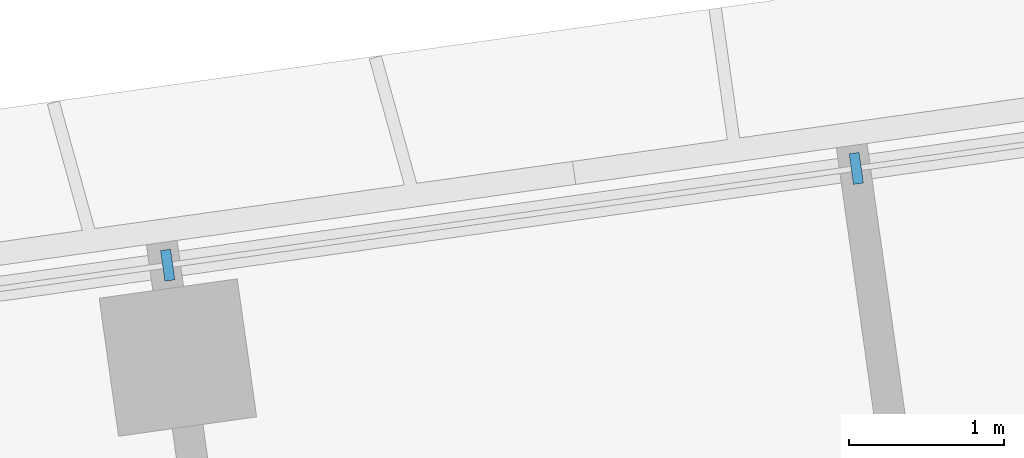
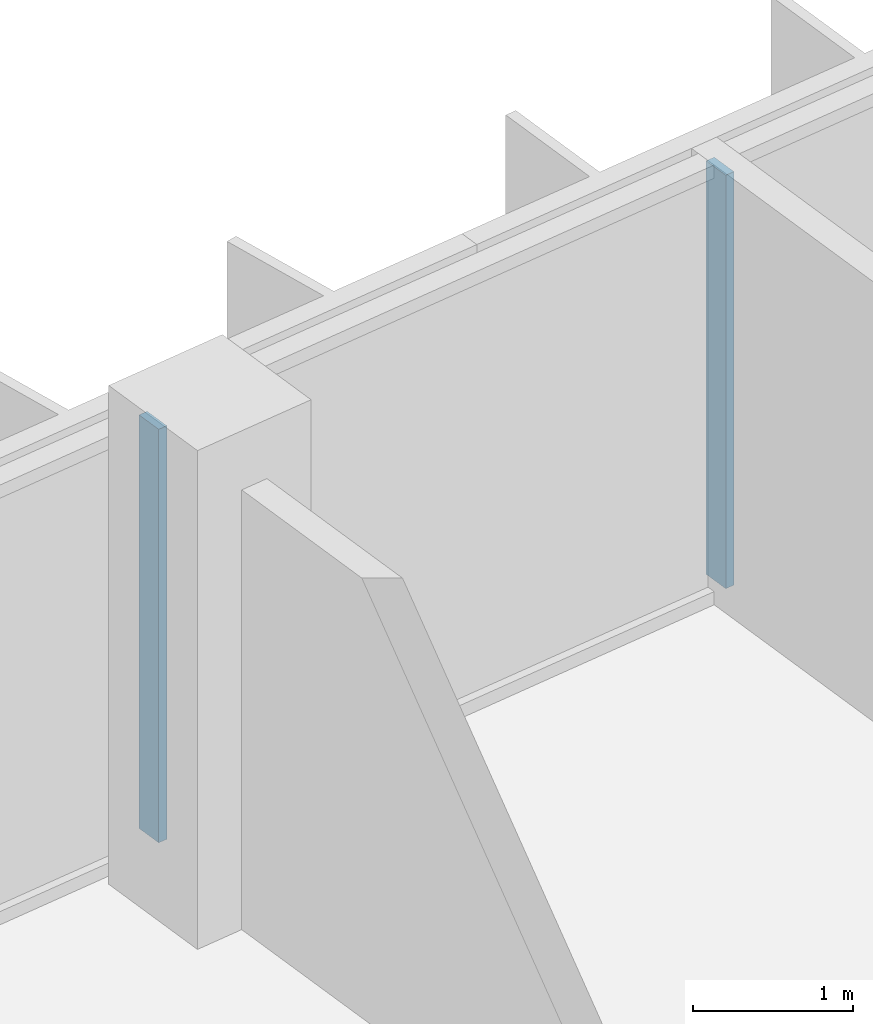
# One storey, part 8 of 26: 2 members, 1 element without a shape of its own.
"""IFC4 building model written with IfcOpenShell, lengths in metres."""

import ifcopenshell
import ifcopenshell.guid

model = None  # the IFC model being written
_history = None  # IfcOwnerHistory: only IFC2X3 demands one
_inside = {}  # id of a spatial element -> (the spatial element, [elements in it])
_under = {}  # id of a project, library or spatial element -> (it, [spatial elements below it])
_declared = {}  # id of a project -> (the project, [libraries it declares])
_typed = {}  # id of a type object -> (the type object, [elements of that type])
_made_of = {}  # id of a material, layer set ... -> (it, [elements and type objects made of it])


def new_model(schema):
    """Start an empty IFC model of exactly this schema.

    Asked for "IFC4X3", IfcOpenShell would pick the latest addendum, in which some entities
    have other attributes; the version numbers below select the first issue.
    IFC2X3 requires an IfcOwnerHistory on every rooted entity: one is made here for all.
    """
    global model, _history
    if schema == "IFC4X3":
        model = ifcopenshell.file(schema_version=(4, 3, 0, 0))
    else:
        model = ifcopenshell.file(schema=schema)
    _inside.clear()
    _under.clear()
    _declared.clear()
    _typed.clear()
    _made_of.clear()
    _history = None
    if model.schema == "IFC2X3":
        org = make("IfcOrganization", Name="unknown")
        user = make(
            "IfcPersonAndOrganization",
            ThePerson=make("IfcPerson", FamilyName="unknown"),
            TheOrganization=org,
        )
        app = make(
            "IfcApplication",
            ApplicationDeveloper=org,
            Version="unknown",
            ApplicationFullName="unknown",
            ApplicationIdentifier="unknown",
        )
        _history = make(
            "IfcOwnerHistory",
            OwningUser=user,
            OwningApplication=app,
            ChangeAction="ADDED",
            CreationDate=0,
        )
    return model


def make(cls, **values):
    """One entity of the class cls with the attributes given. An attribute that is None is left unset."""
    return model.create_entity(
        cls, **{name: value for name, value in values.items() if value is not None}
    )


def rooted(cls, **values):
    """An entity with a GlobalId (a new one), such as an element, a storey or a relation."""
    return make(cls, GlobalId=ifcopenshell.guid.new(), OwnerHistory=_history, **values)


def si_unit(unit_type, name, prefix=None):
    """IfcSIUnit, for example si_unit("LENGTHUNIT", "METRE", prefix="MILLI")."""
    return make("IfcSIUnit", UnitType=unit_type, Prefix=prefix, Name=name)


def assignment(units):
    """IfcUnitAssignment: the units of a project."""
    return None if units is None else make("IfcUnitAssignment", Units=units)


def point(xyz):
    """IfcCartesianPoint."""
    return None if xyz is None else make("IfcCartesianPoint", Coordinates=xyz)


def direction(xyz):
    """IfcDirection."""
    return None if xyz is None else make("IfcDirection", DirectionRatios=xyz)


def frame(location, z_axis=None, x_axis=None):
    """IfcAxis2Placement3D, a coordinate frame: its origin and axes. An axis left out is left unset."""
    return make(
        "IfcAxis2Placement3D",
        Location=point(location),
        Axis=direction(z_axis),
        RefDirection=direction(x_axis),
    )


def frame_2d(location, x_axis=None):
    """IfcAxis2Placement2D, a coordinate frame in the plane: its origin and x axis."""
    return make(
        "IfcAxis2Placement2D", Location=point(location), RefDirection=direction(x_axis)
    )


def origin():
    """The frame at (0, 0, 0) with its axes left unset."""
    return frame((0.0, 0.0, 0.0))


def origin_2d():
    """The frame at (0, 0) in the plane with its x axis left unset."""
    return frame_2d((0.0, 0.0))


def place(relative_to, where):
    """IfcLocalPlacement: puts the frame where relative to a parent placement (None: the world)."""
    return make(
        "IfcLocalPlacement", PlacementRelTo=relative_to, RelativePlacement=where
    )


def context(
    kind, dimensions, precision=None, world=None, true_north=None, identifier=None
):
    """IfcGeometricRepresentationContext, for example the 3D "Model" context."""
    return make(
        "IfcGeometricRepresentationContext",
        ContextIdentifier=identifier,
        ContextType=kind,
        CoordinateSpaceDimension=dimensions,
        Precision=precision,
        WorldCoordinateSystem=world,
        TrueNorth=true_north,
    )


def subcontext(parent, identifier, kind, view, scale=None):
    """IfcGeometricRepresentationSubContext, for example "Body" below "Model"."""
    return make(
        "IfcGeometricRepresentationSubContext",
        ContextIdentifier=identifier,
        ContextType=kind,
        ParentContext=parent,
        TargetScale=scale,
        TargetView=view,
    )


def project(units=None, contexts=None):
    """IfcProject with its units and contexts."""
    return rooted(
        "IfcProject",
        Name="project",
        RepresentationContexts=contexts,
        UnitsInContext=assignment(units),
    )


def spatial(cls, under=None, at=None, **own):
    """A site, building, storey or space (cls), placed at a placement, below another one or the project."""
    s = rooted(cls, ObjectPlacement=at, **own)
    if under is not None:
        _under.setdefault(under.id(), (under, []))[1].append(s)
    return s


def profile(cls, at=None, kind="AREA", **sizes):
    """A parametric profile (cls). Its sizes go by their IFC names, for example OverallWidth=200.0."""
    return make(cls, ProfileType=kind, Position=at, **sizes)


def rectangle(**sizes):
    """IfcRectangleProfileDef."""
    return profile("IfcRectangleProfileDef", **sizes)


def extrude(swept, where, along, depth):
    """IfcExtrudedAreaSolid: the profile swept, set in the frame where, extruded along a direction by depth."""
    return make(
        "IfcExtrudedAreaSolid",
        SweptArea=swept,
        Position=where,
        ExtrudedDirection=direction(along),
        Depth=depth,
    )


def shape(context_of_items, identifier, shape_type, items):
    """IfcShapeRepresentation: the items that make up one representation, for example the "Body"."""
    return make(
        "IfcShapeRepresentation",
        ContextOfItems=context_of_items,
        RepresentationIdentifier=identifier,
        RepresentationType=shape_type,
        Items=items,
    )


def material(Name=None, Category=None):
    """IfcMaterial."""
    return make("IfcMaterial", Name=Name, Category=Category)


def material_profile(
    of_material, cross_section, Name=None, Category=None, Priority=None
):
    """IfcMaterialProfile: a cross section and its material."""
    return make(
        "IfcMaterialProfile",
        Name=Name,
        Material=of_material,
        Profile=cross_section,
        Priority=Priority,
        Category=Category,
    )


def profile_set(profiles, Name=None, composite=None):
    """IfcMaterialProfileSet."""
    return make(
        "IfcMaterialProfileSet",
        Name=Name,
        MaterialProfiles=profiles,
        CompositeProfile=composite,
    )


def made_of(thing, what):
    """Note that an element or type object is made of a material, layer set ...; save() writes the relation."""
    if what is not None:
        _made_of.setdefault(what.id(), (what, []))[1].append(thing)
    return thing


def type_object(cls, material=None, **own):
    """A type object (cls), such as IfcWallType, which elements share."""
    return made_of(rooted(cls, **own), material)


def element(
    cls,
    number,
    at=None,
    inside=None,
    cuts=None,
    type_object=None,
    material=None,
    context=None,
    identifier="Body",
    shape_type=None,
    held_by="IfcProductDefinitionShape",
    body=None,
    shapes=None,
    **own,
):
    """One element of the class cls, such as IfcWall. Its Tag is "e" and its number.

    at: its placement. inside: the storey or other place that contains it. cuts: it is an
    opening in that element (IfcRelVoidsElement). A single representation is given by context,
    identifier, shape_type and body (its items); several are given by shapes. held_by: the class
    of the entity that holds the representations. save() writes the other relations.
    """
    e = rooted(cls, Tag="e%d" % number, ObjectPlacement=at, **own)
    if body is not None:
        shapes = [shape(context, identifier, shape_type, body)]
    if shapes is not None:
        e.Representation = make(held_by, Representations=shapes)
    if inside is not None:
        _inside.setdefault(inside.id(), (inside, []))[1].append(e)
    if cuts is not None:
        rooted(
            "IfcRelVoidsElement", RelatingBuildingElement=cuts, RelatedOpeningElement=e
        )
    if type_object is not None:
        _typed.setdefault(type_object.id(), (type_object, []))[1].append(e)
    return made_of(e, material)


def aggregate(whole, parts):
    """IfcRelAggregates: a whole, such as a stair, and the parts it consists of."""
    return rooted("IfcRelAggregates", RelatingObject=whole, RelatedObjects=parts)


def save(model, path):
    """Write the relations noted so far, then the file.

    IfcRelAggregates (storeys below a building ...), IfcRelContainedInSpatialStructure (elements
    in a storey), IfcRelDefinesByType, IfcRelAssociatesMaterial and IfcRelDeclares: one each for
    every whole, place, type object, material and project.
    """
    for whole, parts in _under.values():
        aggregate(whole, parts)
    for where, things in _inside.values():
        rooted(
            "IfcRelContainedInSpatialStructure",
            RelatedElements=things,
            RelatingStructure=where,
        )
    for kind, things in _typed.values():
        rooted("IfcRelDefinesByType", RelatedObjects=things, RelatingType=kind)
    for what, things in _made_of.values():
        rooted("IfcRelAssociatesMaterial", RelatedObjects=things, RelatingMaterial=what)
    for by, libraries in _declared.values():
        rooted("IfcRelDeclares", RelatingContext=by, RelatedDefinitions=libraries)
    model.write(path)


model = new_model("IFC4")

# Units and contexts
model_context = context("Model", 3, precision=1e-05, world=origin(), true_north=direction((0.0, 1.0)))
body_context = subcontext(model_context, "Body", "Model", "MODEL_VIEW")
ifc_project = project(units=[si_unit("LENGTHUNIT", "METRE"), si_unit("AREAUNIT", "SQUARE_METRE"), si_unit("VOLUMEUNIT", "CUBIC_METRE"), si_unit("PLANEANGLEUNIT", "RADIAN"), si_unit("MASSUNIT", "GRAM", prefix="KILO")], contexts=[model_context])

# Site, building, storey
site_placement = place(None, origin())
site = spatial("IfcSite", under=ifc_project, at=site_placement, CompositionType="ELEMENT")
building_placement = place(site_placement, origin())
building = spatial("IfcBuilding", under=site, at=building_placement, Name="Mirante Cascada Hotel Towers", CompositionType="ELEMENT")
storey_placement = place(building_placement, frame((0.0, 0.0, 113.9)))
storey = spatial("IfcBuildingStorey", under=building, at=storey_placement, Name="L25", CompositionType="ELEMENT", Elevation=113.9)

# Curtain wall, members
ifc_material_1 = material(Name="Aluminium mullion and transom frame with clear laminated glass", Category="aluminium")
curtain_wall_type = type_object("IfcCurtainWallType", Name="Ribbon curtain wall ECW1", PredefinedType="NOTDEFINED", material=ifc_material_1)
curtain_wall_placement = place(storey_placement, origin())
curtain_wall = element("IfcCurtainWall", 1, at=curtain_wall_placement, inside=storey, type_object=curtain_wall_type, Name="Front ribbon wall T2 L25", PredefinedType="NOTDEFINED")
ifc_material_2 = material(Name="Anodised aluminium extrusion", Category="aluminium")
ifc_material_profile = material_profile(ifc_material_2, rectangle(XDim=0.2, YDim=0.065, at=origin_2d()), Name="ECW1 MULLION 65x200")
ifc_profile_set = profile_set([ifc_material_profile], Name="Anodised aluminium extrusion")
member_type = type_object("IfcMemberType", Name="ECW1 mullion 65x200", PredefinedType="MULLION", material=ifc_profile_set)
member_1_placement = place(storey_placement, frame((58.5788, 21.0517, 0.1), z_axis=(0.0, 0.0, 1.0), x_axis=(0.1391731, -0.9902681, 0.0)))
member_1 = element("IfcMember", 2, at=member_1_placement, type_object=member_type, Name="ECW1 mullion 9", PredefinedType="MULLION", context=body_context, shape_type="SweptSolid", body=[
    extrude(rectangle(XDim=0.2, YDim=0.065, at=origin_2d()), origin(), (0.0, 0.0, 1.0), 3.15),
])
member_2_placement = place(storey_placement, frame((54.1314, 20.4267, 0.1), z_axis=(0.0, 0.0, 1.0), x_axis=(0.1391731, -0.9902681, 0.0)))
member_2 = element("IfcMember", 3, at=member_2_placement, type_object=member_type, Name="ECW1 mullion 10", PredefinedType="MULLION", context=body_context, shape_type="SweptSolid", body=[
    extrude(rectangle(XDim=0.2, YDim=0.065, at=origin_2d()), origin(), (0.0, 0.0, 1.0), 3.15),
])
aggregate(curtain_wall, [member_1, member_2])

save(model, "model.ifc")
